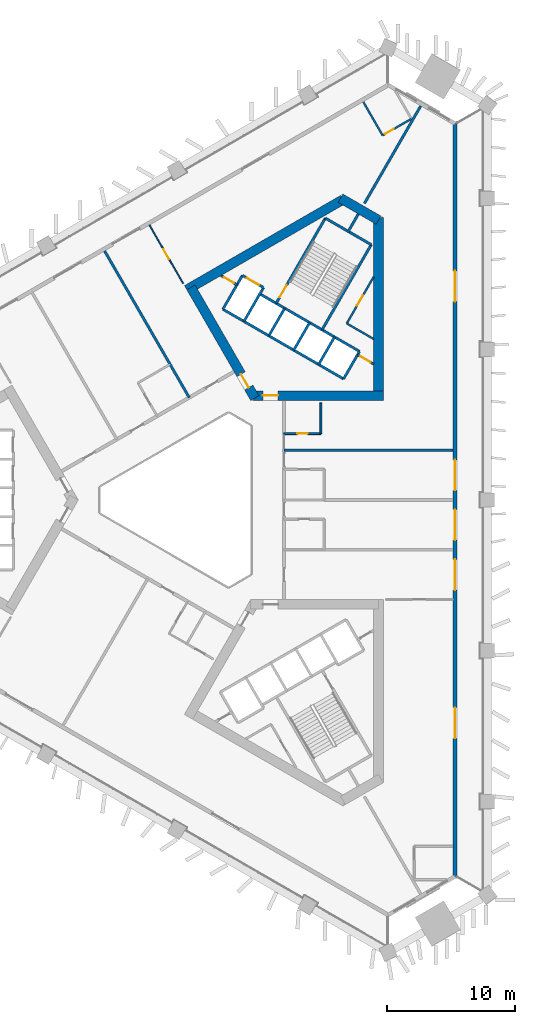
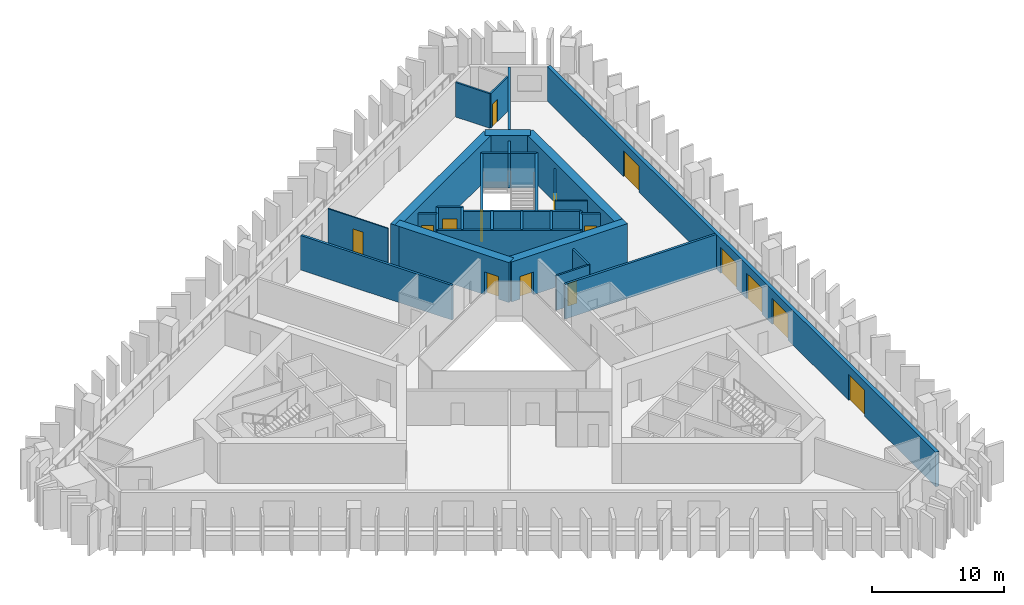
# One storey, part 6 of 11: 31 walls, 15 doors, 15 openings.
"""IFC4 building model written with IfcOpenShell, lengths in metres."""

from ifc_helpers import new_model, si_unit, direction, frame, frame_2d, origin, place, context, subcontext, project, spatial, rectangle, extrude, material, layer, layer_set, type_object, element, fill, save


model = new_model("IFC4")

# Units and contexts
model_context = context("Model", 3, precision=1e-05, world=origin(), true_north=direction((0.0, 1.0)))
body_context = subcontext(model_context, "Body", "Model", "MODEL_VIEW")
ifc_project = project(units=[si_unit("LENGTHUNIT", "METRE"), si_unit("AREAUNIT", "SQUARE_METRE"), si_unit("VOLUMEUNIT", "CUBIC_METRE"), si_unit("PLANEANGLEUNIT", "RADIAN"), si_unit("MASSUNIT", "GRAM", prefix="KILO")], contexts=[model_context])

# Site, building, storey
site_placement = place(None, origin())
site = spatial("IfcSite", under=ifc_project, at=site_placement, CompositionType="ELEMENT")
building_placement = place(site_placement, origin())
building = spatial("IfcBuilding", under=site, at=building_placement, Name="Jabali Bay Hotel Tower and Convention Centre", CompositionType="ELEMENT")
storey_placement = place(building_placement, frame((0.0, 0.0, 79.5)))
storey = spatial("IfcBuildingStorey", under=building, at=storey_placement, Name="L18", CompositionType="ELEMENT", Elevation=79.5)

# Wall
ifc_material_1 = material(Name="Concrete C40", Category="concrete")
ifc_layer_1 = layer(ifc_material_1, 0.199951171875)
ifc_layer_set_1 = layer_set([ifc_layer_1], Name="Concrete C40")
wall_type_1 = type_object("IfcWallType", Name="Core partition wall 200", PredefinedType="PARTITIONING", material=ifc_layer_set_1)
wall_1_placement = place(storey_placement, frame((87.090087890625, 100.9404296875, 0.0), z_axis=(0.0, 0.0, 1.0), x_axis=(0.499937194881, 0.866061661301, 0.0)))
element("IfcWall", 1, at=wall_1_placement, inside=storey, type_object=wall_type_1, Name="Core wall 1.5 L18", PredefinedType="PARTITIONING", context=body_context, shape_type="SweptSolid", body=[
    extrude(rectangle(XDim=1.673095703125, YDim=0.199951171875, at=frame_2d((0.83642578125, 0.0))), origin(), (0.0, 0.0, 1.0), 3.199951171875),
])

# Wall, opening, door
wall_2_placement = place(storey_placement, frame((89.130126953125, 90.640625, 0.0), z_axis=(0.0, 0.0, 1.0), x_axis=(-0.866094119867, 0.499880961361, 0.0)))
wall_2 = element("IfcWall", 2, at=wall_2_placement, inside=storey, type_object=wall_type_1, Name="Core wall 1.11 L18", PredefinedType="PARTITIONING", context=body_context, shape_type="SweptSolid", body=[
    extrude(rectangle(XDim=1.466552734375, YDim=0.199951171875, at=frame_2d((0.7333984375, 0.0))), origin(), (0.0, 0.0, 1.0), 3.199951171875),
])
opening_1_placement = place(wall_2_placement, frame((0.283447265625, 0.0, 0.0)))
opening_1 = element("IfcOpeningElement", 3, at=opening_1_placement, cuts=wall_2, Name="Opening D447", PredefinedType="OPENING", context=body_context, shape_type="SweptSolid", body=[
    extrude(rectangle(XDim=0.89990234375, YDim=2.10009765625, at=frame_2d((0.449951171875, 1.050048828125))), frame((0.0, 0.1103515625, 0.0), z_axis=(0.0, -1.0, 0.0), x_axis=(1.0, 0.0, 0.0)), (0.0, 0.0, 1.0), 0.220947265625),
])
ifc_material_2 = material(Name="Fire-rated steel door", Category="steel")
door_type_1 = type_object("IfcDoorType", Name="Vestibule fire door 900 x 2100", OperationType="NOTDEFINED", PredefinedType="NOTDEFINED", material=ifc_material_2)
door_1_placement = place(opening_1_placement, origin())
door_1 = element("IfcDoor", 4, at=door_1_placement, inside=storey, type_object=door_type_1, Name="Vestibule fire door D447", OperationType="SINGLE_SWING_LEFT", OverallHeight=2.10009765625, OverallWidth=0.89990234375, PredefinedType="NOTDEFINED", context=body_context, shape_type="SweptSolid", body=[
    extrude(rectangle(XDim=0.89990234375, YDim=2.10009765625, at=frame_2d((0.449951171875, 1.050048828125))), frame((0.0, 0.02490234375, 0.0), z_axis=(0.0, -1.0, 0.0), x_axis=(1.0, 0.0, 0.0)), (0.0, 0.0, 1.0), 0.050048828125),
])
fill(opening_1, door_1)

wall_3_placement = place(storey_placement, frame((78.43017578125, 96.84130859375, 0.0), z_axis=(0.0, 0.0, 1.0), x_axis=(-0.866045896294, 0.499964504253, 0.0)))
wall_3 = element("IfcWall", 5, at=wall_3_placement, inside=storey, type_object=wall_type_1, Name="Core wall 1.12 L18", PredefinedType="PARTITIONING", context=body_context, shape_type="SweptSolid", body=[
    extrude(rectangle(XDim=1.455078125, YDim=0.199951171875, at=frame_2d((0.7275390625, 0.0))), origin(), (0.0, 0.0, 1.0), 3.199951171875),
])
opening_2_placement = place(wall_3_placement, frame((0.277587890625, 0.0, 0.0)))
opening_2 = element("IfcOpeningElement", 6, at=opening_2_placement, cuts=wall_3, Name="Opening D446", PredefinedType="OPENING", context=body_context, shape_type="SweptSolid", body=[
    extrude(rectangle(XDim=0.89990234375, YDim=2.10009765625, at=frame_2d((0.449951171875, 1.050048828125))), frame((0.0, 0.1103515625, 0.0), z_axis=(0.0, -1.0, 0.0), x_axis=(1.0, 0.0, 0.0)), (0.0, 0.0, 1.0), 0.220947265625),
])
door_2_placement = place(opening_2_placement, origin())
door_2 = element("IfcDoor", 7, at=door_2_placement, inside=storey, type_object=door_type_1, Name="Vestibule fire door D446", OperationType="SINGLE_SWING_LEFT", OverallHeight=2.10009765625, OverallWidth=0.89990234375, PredefinedType="NOTDEFINED", context=body_context, shape_type="SweptSolid", body=[
    extrude(rectangle(XDim=0.89990234375, YDim=2.10009765625, at=frame_2d((0.449951171875, 1.050048828125))), frame((0.0, 0.02490234375, 0.0), z_axis=(0.0, -1.0, 0.0), x_axis=(1.0, 0.0, 0.0)), (0.0, 0.0, 1.0), 0.050048828125),
])
fill(opening_2, door_2)

ifc_material_3 = material(Name="Fire-rated board partition")
ifc_layer_2 = layer(ifc_material_3, 0.14990234375)
ifc_layer_set_2 = layer_set([ifc_layer_2], Name="Fire-rated board partition")
wall_type_2 = type_object("IfcWallType", Name="Core room partition 150", PredefinedType="PARTITIONING", material=ifc_layer_set_2)
wall_4_placement = place(storey_placement, frame((87.02099609375, 93.821044921875, 0.0), z_axis=(0.0, 0.0, 1.0), x_axis=(0.499986337096, 0.866033291922, 0.0)))
wall_4 = element("IfcWall", 8, at=wall_4_placement, inside=storey, type_object=wall_type_2, Name="Core wall 1.1 L18", PredefinedType="PARTITIONING", context=body_context, shape_type="SweptSolid", body=[
    extrude(rectangle(XDim=4.2177734375, YDim=0.14990234375, at=frame_2d((2.10888671875, 0.0))), origin(), (0.0, 0.0, 1.0), 3.199951171875),
])
opening_3_placement = place(wall_4_placement, frame((1.63134765625, 0.0, 0.0)))
opening_3 = element("IfcOpeningElement", 9, at=opening_3_placement, cuts=wall_4, Name="Opening D449", PredefinedType="OPENING", context=body_context, shape_type="SweptSolid", body=[
    extrude(rectangle(XDim=0.89990234375, YDim=2.10009765625, at=frame_2d((0.449951171875, 1.050048828125))), frame((0.0, 0.08544921875, 0.0), z_axis=(0.0, -1.0, 0.0), x_axis=(1.0, 0.0, 0.0)), (0.0, 0.0, 1.0), 0.1708984375),
])
door_type_2 = type_object("IfcDoorType", Name="Core room door 900 x 2100", OperationType="NOTDEFINED", PredefinedType="NOTDEFINED", material=ifc_material_2)
door_3_placement = place(opening_3_placement, origin())
door_3 = element("IfcDoor", 10, at=door_3_placement, inside=storey, type_object=door_type_2, Name="Core room door D449", OperationType="SINGLE_SWING_LEFT", OverallHeight=2.10009765625, OverallWidth=0.89990234375, PredefinedType="NOTDEFINED", context=body_context, shape_type="SweptSolid", body=[
    extrude(rectangle(XDim=0.89990234375, YDim=2.10009765625, at=frame_2d((0.449951171875, 1.050048828125))), frame((0.0, 0.02490234375, 0.0), z_axis=(0.0, -1.0, 0.0), x_axis=(1.0, 0.0, 0.0)), (0.0, 0.0, 1.0), 0.050048828125),
])
fill(opening_3, door_3)

# Walls
wall_5_placement = place(storey_placement, frame((89.130126953125, 92.603515625, 0.0), z_axis=(0.0, 0.0, 1.0), x_axis=(-0.866057046432, 0.499945189322, 0.0)))
element("IfcWall", 11, at=wall_5_placement, inside=storey, type_object=wall_type_2, Name="Core wall 1.15 L18", PredefinedType="PARTITIONING", context=body_context, shape_type="SweptSolid", body=[
    extrude(rectangle(XDim=2.435302734375, YDim=0.14990234375, at=frame_2d((1.2177734375, 0.0))), origin(), (0.0, 0.0, 1.0), 3.199951171875),
])
ifc_layer_3 = layer(ifc_material_1, 0.199951171875)
ifc_layer_set_3 = layer_set([ifc_layer_3], Name="Concrete C40")
wall_type_3 = type_object("IfcWallType", Name="Core stair wall 200", PredefinedType="SOLIDWALL", material=ifc_layer_set_3)
for number, where, z_axis, x_axis, name in (
    (12, (86.769775390625, 89.48583984375, 0.0), (0.0, 0.0, 1.0), (0.499961042966, 0.86604789447, 0.0), "Core wall 1.0 L18"),
    (13, (84.8212890625, 90.61083984375, 0.0), (0.0, 0.0, 1.0), (0.499961042966, 0.86604789447, 0.0), "Core wall 1.2 L18"),
):
    element("IfcWall", number, at=place(storey_placement, frame(where, z_axis=z_axis, x_axis=x_axis)), inside=storey, type_object=wall_type_3, Name=name, PredefinedType="SOLIDWALL", context=body_context, shape_type="SweptSolid", body=[
        extrude(rectangle(XDim=2.480224609375, YDim=0.199951171875, at=frame_2d((1.240234375, 0.0))), origin(), (0.0, 0.0, 1.0), 3.199951171875),
    ])
wall_6_placement = place(storey_placement, frame((85.0869140625, 93.3212890625, 0.0), z_axis=(0.0, 0.0, 1.0), x_axis=(0.500019787375, 0.866013979237, 0.0)))
element("IfcWall", 14, at=wall_6_placement, inside=storey, type_object=wall_type_3, Name="Core wall 1.3 L18", PredefinedType="SOLIDWALL", context=body_context, shape_type="SweptSolid", body=[
    extrude(rectangle(XDim=7.699951171875, YDim=0.199951171875, at=frame_2d((3.85009765625, 0.0))), origin(), (0.0, 0.0, 1.0), 3.199951171875),
])
for number, where, z_axis, x_axis, name in (
    (15, (82.872802734375, 91.73583984375, 0.0), (0.0, 0.0, 1.0), (0.499961042966, 0.86604789447, 0.0), "Core wall 1.4 L18"),
    (16, (80.924072265625, 92.86083984375, 0.0), (0.0, 0.0, 1.0), (0.499961042966, 0.86604789447, 0.0), "Core wall 1.6 L18"),
):
    element("IfcWall", number, at=place(storey_placement, frame(where, z_axis=z_axis, x_axis=x_axis)), inside=storey, type_object=wall_type_3, Name=name, PredefinedType="SOLIDWALL", context=body_context, shape_type="SweptSolid", body=[
        extrude(rectangle(XDim=2.480224609375, YDim=0.199951171875, at=frame_2d((1.240234375, 0.0))), origin(), (0.0, 0.0, 1.0), 3.199951171875),
    ])

# Wall, opening, door
wall_7_placement = place(storey_placement, frame((81.492919921875, 95.396240234375, 0.0), z_axis=(0.0, 0.0, 1.0), x_axis=(0.500006057782, 0.866021906294, 0.0)))
wall_7 = element("IfcWall", 17, at=wall_7_placement, inside=storey, type_object=wall_type_3, Name="Core wall 1.7 L18", PredefinedType="SOLIDWALL", context=body_context, shape_type="SweptSolid", body=[
    extrude(rectangle(XDim=7.7001953125, YDim=0.199951171875, at=frame_2d((3.85009765625, 0.0))), origin(), (0.0, 0.0, 1.0), 3.199951171875),
])
opening_4_placement = place(wall_7_placement, frame((0.550048828125, 0.0, 0.0)))
opening_4 = element("IfcOpeningElement", 18, at=opening_4_placement, cuts=wall_7, Name="Opening D448", PredefinedType="OPENING", context=body_context, shape_type="SweptSolid", body=[
    extrude(rectangle(XDim=1.10009765625, YDim=2.10009765625, at=frame_2d((0.550048828125, 1.050048828125))), frame((0.0, 0.1103515625, 0.0), z_axis=(0.0, -1.0, 0.0), x_axis=(1.0, 0.0, 0.0)), (0.0, 0.0, 1.0), 0.220947265625),
])
door_type_3 = type_object("IfcDoorType", Name="Stair fire door 1100 x 2100", OperationType="NOTDEFINED", PredefinedType="NOTDEFINED", material=ifc_material_2)
door_4_placement = place(opening_4_placement, origin())
door_4 = element("IfcDoor", 19, at=door_4_placement, inside=storey, type_object=door_type_3, Name="Stair fire door D448", OperationType="SINGLE_SWING_RIGHT", OverallHeight=2.10009765625, OverallWidth=1.10009765625, PredefinedType="NOTDEFINED", context=body_context, shape_type="SweptSolid", body=[
    extrude(rectangle(XDim=1.10009765625, YDim=2.10009765625, at=frame_2d((0.550048828125, 1.050048828125))), frame((0.0, 0.02490234375, 0.0), z_axis=(0.0, -1.0, 0.0), x_axis=(1.0, 0.0, 0.0)), (0.0, 0.0, 1.0), 0.050048828125),
])
fill(opening_4, door_4)

# Walls
for number, where, z_axis, x_axis, name in (
    (20, (78.9755859375, 93.98583984375, 0.0), (0.0, 0.0, 1.0), (0.499944174705, 0.866057632134, 0.0), "Core wall 1.8 L18"),
    (21, (77.330078125, 94.93603515625, 0.0), (0.0, 0.0, 1.0), (0.500038867431, 0.8660029625, 0.0), "Core wall 1.9 L18"),
):
    element("IfcWall", number, at=place(storey_placement, frame(where, z_axis=z_axis, x_axis=x_axis)), inside=storey, type_object=wall_type_3, Name=name, PredefinedType="SOLIDWALL", context=body_context, shape_type="SweptSolid", body=[
        extrude(rectangle(XDim=3.050048828125, YDim=0.199951171875, at=frame_2d((1.52490234375, 0.0))), origin(), (0.0, 0.0, 1.0), 3.199951171875),
    ])
wall_8_placement = place(storey_placement, frame((86.769775390625, 89.48583984375, 0.0), z_axis=(0.0, 0.0, 1.0), x_axis=(-0.86601811187, 0.500012629753, 0.0)))
element("IfcWall", 22, at=wall_8_placement, inside=storey, type_object=wall_type_3, Name="Core wall 1.10 L18", PredefinedType="SOLIDWALL", context=body_context, shape_type="SweptSolid", body=[
    extrude(rectangle(XDim=10.900146484375, YDim=0.199951171875, at=frame_2d((5.4501953125, 0.0))), origin(), (0.0, 0.0, 1.0), 3.199951171875),
])
wall_9_placement = place(storey_placement, frame((88.009765625, 91.6337890625, 0.0), z_axis=(0.0, 0.0, 1.0), x_axis=(-0.866024315419, 0.5000018851, 0.0)))
element("IfcWall", 23, at=wall_9_placement, inside=storey, type_object=wall_type_3, Name="Core wall 1.13 L18", PredefinedType="SOLIDWALL", context=body_context, shape_type="SweptSolid", body=[
    extrude(rectangle(XDim=9.0, YDim=0.199951171875, at=frame_2d((4.5, 0.0))), origin(), (0.0, 0.0, 1.0), 3.199951171875),
])

# Wall, opening, door
wall_10_placement = place(storey_placement, frame((80.50048828125, 96.62744140625, 0.0), z_axis=(0.0, 0.0, 1.0), x_axis=(-0.86601224135, 0.500022797313, 0.0)))
wall_10 = element("IfcWall", 24, at=wall_10_placement, inside=storey, type_object=wall_type_3, Name="Core wall 1.14 L18", PredefinedType="SOLIDWALL", context=body_context, shape_type="SweptSolid", body=[
    extrude(rectangle(XDim=1.89990234375, YDim=0.199951171875, at=frame_2d((0.949951171875, 0.0))), origin(), (0.0, 0.0, 1.0), 3.199951171875),
])
opening_5_placement = place(wall_10_placement, frame((0.39990234375, 0.0, 0.0)))
opening_5 = element("IfcOpeningElement", 25, at=opening_5_placement, cuts=wall_10, Name="Opening LD10-L18", PredefinedType="OPENING", context=body_context, shape_type="SweptSolid", body=[
    extrude(rectangle(XDim=1.10009765625, YDim=2.10009765625, at=frame_2d((0.550048828125, 1.050048828125))), frame((0.0, 0.1103515625, 0.0), z_axis=(0.0, -1.0, 0.0), x_axis=(1.0, 0.0, 0.0)), (0.0, 0.0, 1.0), 0.220947265625),
])
ifc_material_4 = material(Name="Stainless steel landing door", Category="steel")
door_type_4 = type_object("IfcDoorType", Name="Landing door 1100 x 2100", OperationType="NOTDEFINED", PredefinedType="NOTDEFINED", material=ifc_material_4)
door_5_placement = place(opening_5_placement, origin())
door_5 = element("IfcDoor", 26, at=door_5_placement, inside=storey, type_object=door_type_4, Name="Landing doors LD10-L18", OperationType="SLIDING_TO_RIGHT", OverallHeight=2.10009765625, OverallWidth=1.10009765625, PredefinedType="NOTDEFINED", context=body_context, shape_type="SweptSolid", body=[
    extrude(rectangle(XDim=1.10009765625, YDim=2.10009765625, at=frame_2d((0.550048828125, 1.050048828125))), frame((0.0, 0.02490234375, 0.0), z_axis=(0.0, -1.0, 0.0), x_axis=(1.0, 0.0, 0.0)), (0.0, 0.0, 1.0), 0.050048828125),
])
fill(opening_5, door_5)

# Wall
wall_11_placement = place(storey_placement, frame((88.93701171875, 99.989501953125, 0.0), z_axis=(0.0, 0.0, 1.0), x_axis=(-0.866004344652, 0.500036473714, 0.0)))
element("IfcWall", 27, at=wall_11_placement, inside=storey, type_object=wall_type_3, Name="Core wall 1.16 L18", PredefinedType="SOLIDWALL", context=body_context, shape_type="SweptSolid", body=[
    extrude(rectangle(XDim=4.150146484375, YDim=0.199951171875, at=frame_2d((2.0751953125, 0.0))), origin(), (0.0, 0.0, 1.0), 3.199951171875),
])

# Wall, opening, door
ifc_material_5 = material(Name="Concrete C60", Category="concrete")
ifc_layer_4 = layer(ifc_material_5, 0.75)
ifc_layer_set_4 = layer_set([ifc_layer_4], Name="Concrete C60")
wall_type_4 = type_object("IfcWallType", Name="Core wall 750", PredefinedType="SHEAR", material=ifc_layer_set_4)
wall_12_placement = place(storey_placement, frame((79.716552734375, 88.169189453125, 0.0), z_axis=(0.0, 0.0, 1.0), x_axis=(1.0, 0.0, 0.0)))
wall_12 = element("IfcWall", 28, at=wall_12_placement, inside=storey, type_object=wall_type_4, Name="Core wall 2.1 L18", PredefinedType="SHEAR", context=body_context, shape_type="SweptSolid", body=[
    extrude(rectangle(XDim=10.163330078125, YDim=0.75, at=frame_2d((5.08154296875, 0.0))), origin(), (0.0, 0.0, 1.0), 3.699951171875),
])
opening_6_placement = place(wall_12_placement, frame((0.7333984375, 0.0, 0.0)))
opening_6 = element("IfcOpeningElement", 29, at=opening_6_placement, cuts=wall_12, Name="Opening D444", PredefinedType="OPENING", context=body_context, shape_type="SweptSolid", body=[
    extrude(rectangle(XDim=1.199951171875, YDim=2.10009765625, at=frame_2d((0.60009765625, 1.050048828125))), frame((0.0, 0.385498046875, 0.0), z_axis=(0.0, -1.0, 0.0), x_axis=(1.0, 0.0, 0.0)), (0.0, 0.0, 1.0), 0.77099609375),
])
door_type_5 = type_object("IfcDoorType", Name="Corridor end fire door 1200 x 2100", OperationType="NOTDEFINED", PredefinedType="NOTDEFINED", material=ifc_material_2)
door_6_placement = place(opening_6_placement, origin())
door_6 = element("IfcDoor", 30, at=door_6_placement, inside=storey, type_object=door_type_5, Name="Corridor end fire door D444", OperationType="SINGLE_SWING_RIGHT", OverallHeight=2.10009765625, OverallWidth=1.199951171875, PredefinedType="NOTDEFINED", context=body_context, shape_type="SweptSolid", body=[
    extrude(rectangle(XDim=1.199951171875, YDim=2.10009765625, at=frame_2d((0.60009765625, 1.050048828125))), frame((0.0, 0.02490234375, 0.0), z_axis=(0.0, -1.0, 0.0), x_axis=(1.0, 0.0, 0.0)), (0.0, 0.0, 1.0), 0.050048828125),
])
fill(opening_6, door_6)

# Walls
wall_13_placement = place(storey_placement, frame((89.5048828125, 88.169189453125, 0.0), z_axis=(0.0, 0.0, 1.0), x_axis=(0.0, 1.0, 0.0)))
element("IfcWall", 31, at=wall_13_placement, inside=storey, type_object=wall_type_4, Name="Core wall 2.2 L18", PredefinedType="SHEAR", context=body_context, shape_type="SweptSolid", body=[
    extrude(rectangle(XDim=13.95849609375, YDim=0.75, at=frame_2d((6.979248046875, 0.0))), origin(), (0.0, 0.0, 1.0), 3.699951171875),
])
wall_14_placement = place(storey_placement, frame((89.5048828125, 101.9111328125, 0.0), z_axis=(0.0, 0.0, 1.0), x_axis=(-0.866017201164, 0.500014207086, 0.0)))
element("IfcWall", 32, at=wall_14_placement, inside=storey, type_object=wall_type_4, Name="Core wall 2.3 L18", PredefinedType="SHEAR", context=body_context, shape_type="SweptSolid", body=[
    extrude(rectangle(XDim=3.4287109375, YDim=0.75, at=frame_2d((1.71435546875, 0.0))), origin(), (0.0, 0.0, 1.0), 3.699951171875),
])
wall_15_placement = place(storey_placement, frame((86.72314453125, 103.517333984375, 0.0), z_axis=(0.0, 0.0, 1.0), x_axis=(-0.866020851292, -0.500007885066, 0.0)))
element("IfcWall", 33, at=wall_15_placement, inside=storey, type_object=wall_type_4, Name="Core wall 2.4 L18", PredefinedType="SHEAR", context=body_context, shape_type="SweptSolid", body=[
    extrude(rectangle(XDim=14.116943359375, YDim=0.75, at=frame_2d((7.05859375, 0.0))), origin(), (0.0, 0.0, 1.0), 3.699951171875),
])

# Wall, opening, door
wall_16_placement = place(storey_placement, frame((74.822265625, 96.646240234375, 0.0), z_axis=(0.0, 0.0, 1.0), x_axis=(0.499997052475, -0.866027105532, 0.0)))
wall_16 = element("IfcWall", 34, at=wall_16_placement, inside=storey, type_object=wall_type_4, Name="Core wall 2.5 L18", PredefinedType="SHEAR", context=body_context, shape_type="SweptSolid", body=[
    extrude(rectangle(XDim=10.0048828125, YDim=0.75, at=frame_2d((5.00244140625, 0.0))), origin(), (0.0, 0.0, 1.0), 3.699951171875),
])
opening_7_placement = place(wall_16_placement, frame((7.85498046875, 0.0, 0.0)))
opening_7 = element("IfcOpeningElement", 35, at=opening_7_placement, cuts=wall_16, Name="Opening D445", PredefinedType="OPENING", context=body_context, shape_type="SweptSolid", body=[
    extrude(rectangle(XDim=1.199951171875, YDim=2.10009765625, at=frame_2d((0.60009765625, 1.050048828125))), frame((0.0, 0.385498046875, 0.0), z_axis=(0.0, -1.0, 0.0), x_axis=(1.0, 0.0, 0.0)), (0.0, 0.0, 1.0), 0.77099609375),
])
door_7_placement = place(opening_7_placement, origin())
door_7 = element("IfcDoor", 36, at=door_7_placement, inside=storey, type_object=door_type_5, Name="Corridor end fire door D445", OperationType="SINGLE_SWING_LEFT", OverallHeight=2.10009765625, OverallWidth=1.199951171875, PredefinedType="NOTDEFINED", context=body_context, shape_type="SweptSolid", body=[
    extrude(rectangle(XDim=1.199951171875, YDim=2.10009765625, at=frame_2d((0.60009765625, 1.050048828125))), frame((0.0, 0.02490234375, 0.0), z_axis=(0.0, -1.0, 0.0), x_axis=(1.0, 0.0, 0.0)), (0.0, 0.0, 1.0), 0.050048828125),
])
fill(opening_7, door_7)

# Wall, openings, doors
ifc_layer_5 = layer(ifc_material_1, 0.300048828125)
ifc_layer_set_5 = layer_set([ifc_layer_5], Name="Concrete C40")
wall_type_5 = type_object("IfcWallType", Name="External wall 300", PredefinedType="SOLIDWALL", material=ifc_layer_set_5)
wall_17_placement = place(storey_placement, frame((95.500732421875, 109.475830078125, 0.0), z_axis=(0.0, 0.0, 1.0), x_axis=(0.0, -1.0, 0.0)))
wall_17 = element("IfcWall", 37, at=wall_17_placement, inside=storey, type_object=wall_type_5, Name="External wall east face L18", PredefinedType="SOLIDWALL", context=body_context, shape_type="SweptSolid", body=[
    extrude(rectangle(XDim=58.95166015625, YDim=0.300048828125, at=frame_2d((29.475830078125, 0.0))), origin(), (0.0, 0.0, 1.0), 3.199951171875),
])
opening_8_placement = place(wall_17_placement, frame((34.121337890625, 0.0, 0.0)))
opening_8 = element("IfcOpeningElement", 38, at=opening_8_placement, cuts=wall_17, Name="Opening SD1", PredefinedType="OPENING", context=body_context, shape_type="SweptSolid", body=[
    extrude(rectangle(XDim=2.39990234375, YDim=2.39990234375, at=frame_2d((1.199951171875, 1.199951171875))), frame((0.0, 0.16064453125, 0.0), z_axis=(0.0, -1.0, 0.0), x_axis=(1.0, 0.0, 0.0)), (0.0, 0.0, 1.0), 0.321044921875),
])
opening_9_placement = place(wall_17_placement, frame((45.73876953125, 0.0, 0.0)))
opening_9 = element("IfcOpeningElement", 39, at=opening_9_placement, cuts=wall_17, Name="Opening SD1", PredefinedType="OPENING", context=body_context, shape_type="SweptSolid", body=[
    extrude(rectangle(XDim=2.39990234375, YDim=2.39990234375, at=frame_2d((1.199951171875, 1.199951171875))), frame((0.0, 0.16064453125, 0.0), z_axis=(0.0, -1.0, 0.0), x_axis=(1.0, 0.0, 0.0)), (0.0, 0.0, 1.0), 0.321044921875),
])
opening_10_placement = place(wall_17_placement, frame((30.224365234375, 0.0, 0.0)))
opening_10 = element("IfcOpeningElement", 40, at=opening_10_placement, cuts=wall_17, Name="Opening SD1", PredefinedType="OPENING", context=body_context, shape_type="SweptSolid", body=[
    extrude(rectangle(XDim=2.39990234375, YDim=2.39990234375, at=frame_2d((1.199951171875, 1.199951171875))), frame((0.0, 0.16064453125, 0.0), z_axis=(0.0, -1.0, 0.0), x_axis=(1.0, 0.0, 0.0)), (0.0, 0.0, 1.0), 0.321044921875),
])
opening_11_placement = place(wall_17_placement, frame((11.546142578125, 0.0, 0.0)))
opening_11 = element("IfcOpeningElement", 41, at=opening_11_placement, cuts=wall_17, Name="Opening SD1", PredefinedType="OPENING", context=body_context, shape_type="SweptSolid", body=[
    extrude(rectangle(XDim=2.39990234375, YDim=2.39990234375, at=frame_2d((1.199951171875, 1.199951171875))), frame((0.0, 0.16064453125, 0.0), z_axis=(0.0, -1.0, 0.0), x_axis=(1.0, 0.0, 0.0)), (0.0, 0.0, 1.0), 0.321044921875),
])
opening_12_placement = place(wall_17_placement, frame((26.3271484375, 0.0, 0.0)))
opening_12 = element("IfcOpeningElement", 42, at=opening_12_placement, cuts=wall_17, Name="Opening SD1", PredefinedType="OPENING", context=body_context, shape_type="SweptSolid", body=[
    extrude(rectangle(XDim=2.39990234375, YDim=2.39990234375, at=frame_2d((1.199951171875, 1.199951171875))), frame((0.0, 0.16064453125, 0.0), z_axis=(0.0, -1.0, 0.0), x_axis=(1.0, 0.0, 0.0)), (0.0, 0.0, 1.0), 0.321044921875),
])
ifc_material_6 = material(Name="Glass", Category="glass")
door_type_6 = type_object("IfcDoorType", Name="Loggia sliding door 2400 x 2400", OperationType="NOTDEFINED", PredefinedType="NOTDEFINED", material=ifc_material_6)
door_8_placement = place(opening_8_placement, origin())
door_8 = element("IfcDoor", 43, at=door_8_placement, inside=storey, type_object=door_type_6, Name="Loggia sliding door 1801", OperationType="SLIDING_TO_LEFT", OverallHeight=2.39990234375, OverallWidth=2.39990234375, PredefinedType="NOTDEFINED", context=body_context, shape_type="SweptSolid", body=[
    extrude(rectangle(XDim=2.39990234375, YDim=2.39990234375, at=frame_2d((1.199951171875, 1.199951171875))), frame((0.0, 0.02490234375, 0.0), z_axis=(0.0, -1.0, 0.0), x_axis=(1.0, 0.0, 0.0)), (0.0, 0.0, 1.0), 0.050048828125),
])
fill(opening_8, door_8)
door_9_placement = place(opening_9_placement, origin())
door_9 = element("IfcDoor", 44, at=door_9_placement, inside=storey, type_object=door_type_6, Name="Loggia sliding door 1801", OperationType="SLIDING_TO_RIGHT", OverallHeight=2.39990234375, OverallWidth=2.39990234375, PredefinedType="NOTDEFINED", context=body_context, shape_type="SweptSolid", body=[
    extrude(rectangle(XDim=2.39990234375, YDim=2.39990234375, at=frame_2d((1.199951171875, 1.199951171875))), frame((0.0, 0.02490234375, 0.0), z_axis=(0.0, -1.0, 0.0), x_axis=(1.0, 0.0, 0.0)), (0.0, 0.0, 1.0), 0.050048828125),
])
fill(opening_9, door_9)
door_10_placement = place(opening_10_placement, origin())
door_10 = element("IfcDoor", 45, at=door_10_placement, inside=storey, type_object=door_type_6, Name="Loggia sliding door 1802", OperationType="SLIDING_TO_LEFT", OverallHeight=2.39990234375, OverallWidth=2.39990234375, PredefinedType="NOTDEFINED", context=body_context, shape_type="SweptSolid", body=[
    extrude(rectangle(XDim=2.39990234375, YDim=2.39990234375, at=frame_2d((1.199951171875, 1.199951171875))), frame((0.0, 0.02490234375, 0.0), z_axis=(0.0, -1.0, 0.0), x_axis=(1.0, 0.0, 0.0)), (0.0, 0.0, 1.0), 0.050048828125),
])
fill(opening_10, door_10)
door_11_placement = place(opening_11_placement, origin())
door_11 = element("IfcDoor", 46, at=door_11_placement, inside=storey, type_object=door_type_6, Name="Loggia sliding door 1804", OperationType="SLIDING_TO_RIGHT", OverallHeight=2.39990234375, OverallWidth=2.39990234375, PredefinedType="NOTDEFINED", context=body_context, shape_type="SweptSolid", body=[
    extrude(rectangle(XDim=2.39990234375, YDim=2.39990234375, at=frame_2d((1.199951171875, 1.199951171875))), frame((0.0, 0.02490234375, 0.0), z_axis=(0.0, -1.0, 0.0), x_axis=(1.0, 0.0, 0.0)), (0.0, 0.0, 1.0), 0.050048828125),
])
fill(opening_11, door_11)
door_12_placement = place(opening_12_placement, origin())
door_12 = element("IfcDoor", 47, at=door_12_placement, inside=storey, type_object=door_type_6, Name="Loggia sliding door 1803", OperationType="SLIDING_TO_LEFT", OverallHeight=2.39990234375, OverallWidth=2.39990234375, PredefinedType="NOTDEFINED", context=body_context, shape_type="SweptSolid", body=[
    extrude(rectangle(XDim=2.39990234375, YDim=2.39990234375, at=frame_2d((1.199951171875, 1.199951171875))), frame((0.0, 0.02490234375, 0.0), z_axis=(0.0, -1.0, 0.0), x_axis=(1.0, 0.0, 0.0)), (0.0, 0.0, 1.0), 0.050048828125),
])
fill(opening_12, door_12)

# Wall, opening, door
ifc_material_7 = material(Name="Plasterboard on steel stud", Category="steel")
ifc_layer_6 = layer(ifc_material_7, 0.10009765625)
ifc_layer_set_6 = layer_set([ifc_layer_6], Name="Plasterboard on steel stud")
wall_type_6 = type_object("IfcWallType", Name="Partition 100 unit", PredefinedType="PARTITIONING", material=ifc_layer_set_6)
wall_18_placement = place(storey_placement, frame((74.21044921875, 96.955810546875, 0.0), z_axis=(0.0, 0.0, 1.0), x_axis=(-0.499973627007, 0.866040629704, 0.0)))
wall_18 = element("IfcWall", 48, at=wall_18_placement, inside=storey, type_object=wall_type_6, Name="Partition P02 L18 018", PredefinedType="PARTITIONING", context=body_context, shape_type="SweptSolid", body=[
    extrude(rectangle(XDim=5.272705078125, YDim=0.10009765625, at=frame_2d((2.63623046875, 0.0))), origin(), (0.0, 0.0, 1.0), 3.199951171875),
])
opening_13_placement = place(wall_18_placement, frame((2.18603515625, 0.0, 0.0)))
opening_13 = element("IfcOpeningElement", 49, at=opening_13_placement, cuts=wall_18, Name="Opening 1811", PredefinedType="OPENING", context=body_context, shape_type="SweptSolid", body=[
    extrude(rectangle(XDim=0.89990234375, YDim=2.10009765625, at=frame_2d((0.449951171875, 1.050048828125))), frame((0.0, 0.060546875, 0.0), z_axis=(0.0, -1.0, 0.0), x_axis=(1.0, 0.0, 0.0)), (0.0, 0.0, 1.0), 0.12109375),
])
ifc_material_8 = material(Name="Timber", Category="wood")
door_type_7 = type_object("IfcDoorType", Name="Internal door 900 x 2100", OperationType="NOTDEFINED", PredefinedType="NOTDEFINED", material=ifc_material_8)
door_13_placement = place(opening_13_placement, origin())
door_13 = element("IfcDoor", 50, at=door_13_placement, inside=storey, type_object=door_type_7, Name="Door 1811", OperationType="SINGLE_SWING_LEFT", OverallHeight=2.10009765625, OverallWidth=0.89990234375, PredefinedType="NOTDEFINED", context=body_context, shape_type="SweptSolid", body=[
    extrude(rectangle(XDim=0.89990234375, YDim=2.10009765625, at=frame_2d((0.449951171875, 1.050048828125))), frame((0.0, 0.02490234375, 0.0), z_axis=(0.0, -1.0, 0.0), x_axis=(1.0, 0.0, 0.0)), (0.0, 0.0, 1.0), 0.050048828125),
])
fill(opening_13, door_13)

# Wall
ifc_layer_7 = layer(ifc_material_7, 0.14990234375)
ifc_layer_set_7 = layer_set([ifc_layer_7], Name="Plasterboard on steel stud")
wall_type_7 = type_object("IfcWallType", Name="Partition 150 wet", PredefinedType="PARTITIONING", material=ifc_layer_set_7)
wall_19_placement = place(storey_placement, frame((85.0, 87.59521484375, 0.0), z_axis=(0.0, 0.0, 1.0), x_axis=(0.0, -1.0, 0.0)))
element("IfcWall", 51, at=wall_19_placement, inside=storey, type_object=wall_type_7, Name="Partition P03 L18 015", PredefinedType="PARTITIONING", context=body_context, shape_type="SweptSolid", body=[
    extrude(rectangle(XDim=2.398193359375, YDim=0.14990234375, at=frame_2d((1.19921875, 0.0))), origin(), (0.0, 0.0, 1.0), 3.199951171875),
])

# Wall, opening, door
wall_20_placement = place(storey_placement, frame((85.0, 85.197021484375, 0.0), z_axis=(0.0, 0.0, 1.0), x_axis=(-1.0, 0.0, 0.0)))
wall_20 = element("IfcWall", 52, at=wall_20_placement, inside=storey, type_object=wall_type_7, Name="Partition P03 L18 016", PredefinedType="PARTITIONING", context=body_context, shape_type="SweptSolid", body=[
    extrude(rectangle(XDim=2.89990234375, YDim=0.14990234375, at=frame_2d((1.449951171875, 0.0))), origin(), (0.0, 0.0, 1.0), 3.199951171875),
])
opening_14_placement = place(wall_20_placement, frame((1.050048828125, 0.0, 0.0)))
opening_14 = element("IfcOpeningElement", 53, at=opening_14_placement, cuts=wall_20, Name="Opening 1808", PredefinedType="OPENING", context=body_context, shape_type="SweptSolid", body=[
    extrude(rectangle(XDim=0.800048828125, YDim=2.10009765625, at=frame_2d((0.39990234375, 1.050048828125))), frame((0.0, 0.08544921875, 0.0), z_axis=(0.0, -1.0, 0.0), x_axis=(1.0, 0.0, 0.0)), (0.0, 0.0, 1.0), 0.1708984375),
])
door_type_8 = type_object("IfcDoorType", Name="En-suite door 800 x 2100", OperationType="NOTDEFINED", PredefinedType="NOTDEFINED", material=ifc_material_8)
door_14_placement = place(opening_14_placement, origin())
door_14 = element("IfcDoor", 54, at=door_14_placement, inside=storey, type_object=door_type_8, Name="Door 1808", OperationType="SINGLE_SWING_LEFT", OverallHeight=2.10009765625, OverallWidth=0.800048828125, PredefinedType="NOTDEFINED", context=body_context, shape_type="SweptSolid", body=[
    extrude(rectangle(XDim=0.800048828125, YDim=2.10009765625, at=frame_2d((0.39990234375, 1.050048828125))), frame((0.0, 0.02490234375, 0.0), z_axis=(0.0, -1.0, 0.0), x_axis=(1.0, 0.0, 0.0)), (0.0, 0.0, 1.0), 0.050048828125),
])
fill(opening_14, door_14)

wall_21_placement = place(storey_placement, frame((92.08203125, 109.840576171875, 0.0), z_axis=(0.0, 0.0, 1.0), x_axis=(-0.865997922154, -0.500047596559, 0.0)))
wall_21 = element("IfcWall", 55, at=wall_21_placement, inside=storey, type_object=wall_type_7, Name="Partition P03 L18 021", PredefinedType="PARTITIONING", context=body_context, shape_type="SweptSolid", body=[
    extrude(rectangle(XDim=2.599853515625, YDim=0.14990234375, at=frame_2d((1.2998046875, 0.0))), origin(), (0.0, 0.0, 1.0), 3.199951171875),
])
opening_15_placement = place(wall_21_placement, frame((1.60009765625, 0.0, 0.0)))
opening_15 = element("IfcOpeningElement", 56, at=opening_15_placement, cuts=wall_21, Name="Opening 1812", PredefinedType="OPENING", context=body_context, shape_type="SweptSolid", body=[
    extrude(rectangle(XDim=0.800048828125, YDim=2.10009765625, at=frame_2d((0.39990234375, 1.050048828125))), frame((0.0, 0.08544921875, 0.0), z_axis=(0.0, -1.0, 0.0), x_axis=(1.0, 0.0, 0.0)), (0.0, 0.0, 1.0), 0.1708984375),
])
door_15_placement = place(opening_15_placement, origin())
door_15 = element("IfcDoor", 57, at=door_15_placement, inside=storey, type_object=door_type_8, Name="Door 1812", OperationType="SINGLE_SWING_RIGHT", OverallHeight=2.10009765625, OverallWidth=0.800048828125, PredefinedType="NOTDEFINED", context=body_context, shape_type="SweptSolid", body=[
    extrude(rectangle(XDim=0.800048828125, YDim=2.10009765625, at=frame_2d((0.39990234375, 1.050048828125))), frame((0.0, 0.02490234375, 0.0), z_axis=(0.0, -1.0, 0.0), x_axis=(1.0, 0.0, 0.0)), (0.0, 0.0, 1.0), 0.050048828125),
])
fill(opening_15, door_15)

# Walls
wall_22_placement = place(storey_placement, frame((89.83056640625, 108.54052734375, 0.0), z_axis=(0.0, 0.0, 1.0), x_axis=(-0.500022102064, 0.866012642776, 0.0)))
element("IfcWall", 58, at=wall_22_placement, inside=storey, type_object=wall_type_7, Name="Partition P03 L18 022", PredefinedType="PARTITIONING", context=body_context, shape_type="SweptSolid", body=[
    extrude(rectangle(XDim=3.009033203125, YDim=0.14990234375, at=frame_2d((1.50439453125, 0.0))), origin(), (0.0, 0.0, 1.0), 3.199951171875),
])
ifc_layer_8 = layer(ifc_material_7, 0.199951171875)
ifc_layer_set_8 = layer_set([ifc_layer_8], Name="Plasterboard on steel stud")
wall_type_8 = type_object("IfcWallType", Name="Partition 200 party", PredefinedType="PARTITIONING", material=ifc_layer_set_8)
wall_23_placement = place(storey_placement, frame((95.3515625, 83.897216796875, 0.0), z_axis=(0.0, 0.0, 1.0), x_axis=(-1.0, 0.0, 0.0)))
element("IfcWall", 59, at=wall_23_placement, inside=storey, type_object=wall_type_8, Name="Partition P01 L18 014", PredefinedType="PARTITIONING", context=body_context, shape_type="SweptSolid", body=[
    extrude(rectangle(XDim=13.25146484375, YDim=0.199951171875, at=frame_2d((6.625732421875, 0.0))), origin(), (0.0, 0.0, 1.0), 3.199951171875),
])
wall_24_placement = place(storey_placement, frame((92.81396484375, 110.854736328125, 0.0), z_axis=(0.0, 0.0, 1.0), x_axis=(-0.49998584623, -0.866033575313, 0.0)))
element("IfcWall", 60, at=wall_24_placement, inside=storey, type_object=wall_type_8, Name="Partition P01 L18 017", PredefinedType="PARTITIONING", context=body_context, shape_type="SweptSolid", body=[
    extrude(rectangle(XDim=8.825927734375, YDim=0.199951171875, at=frame_2d((4.4130859375, 0.0))), origin(), (0.0, 0.0, 1.0), 3.199951171875),
])
wall_25_placement = place(storey_placement, frame((68.064208984375, 99.49560546875, 0.0), z_axis=(0.0, 0.0, 1.0), x_axis=(0.499993034499, -0.866029425281, 0.0)))
element("IfcWall", 61, at=wall_25_placement, inside=storey, type_object=wall_type_8, Name="Partition P01 L18 019", PredefinedType="PARTITIONING", context=body_context, shape_type="SweptSolid", body=[
    extrude(rectangle(XDim=13.251708984375, YDim=0.199951171875, at=frame_2d((6.6259765625, 0.0))), origin(), (0.0, 0.0, 1.0), 3.199951171875),
])

save(model, "model.ifc")
